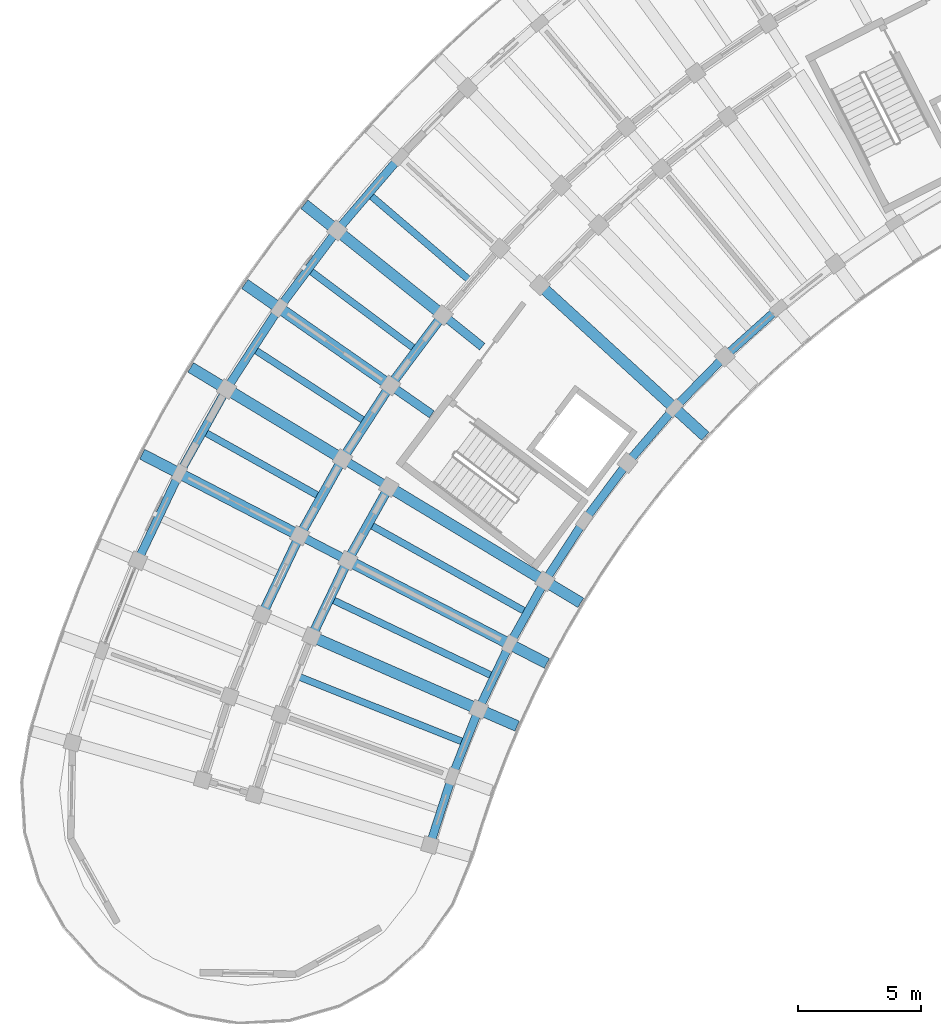
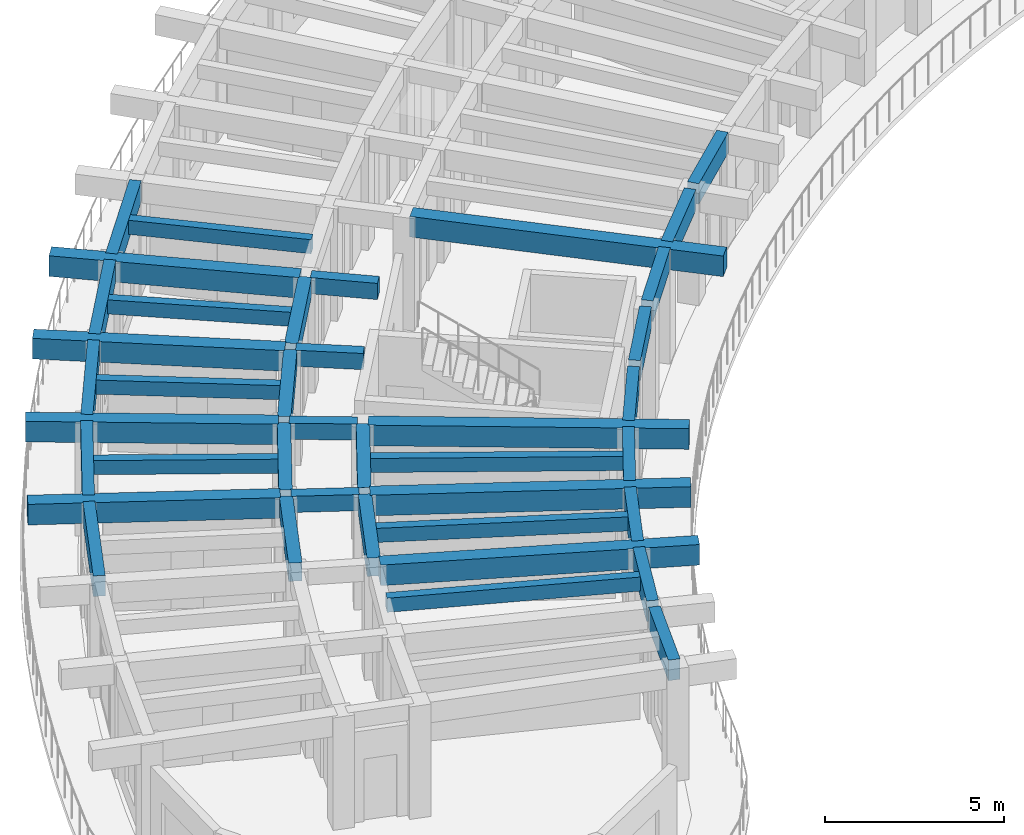
# One storey, part 37 of 128: 39 beams.
"""IFC4 building model written with IfcOpenShell, lengths in metres."""

from ifc_helpers import new_model, si_unit, direction, frame, origin, origin_2d, place, context, subcontext, project, spatial, rectangle, extrude, material, material_profile, profile_set, type_object, element, save


model = new_model("IFC4")

# Units and contexts
model_context = context("Model", 3, precision=1e-05, world=origin(), true_north=direction((0.0, 1.0)))
body_context = subcontext(model_context, "Body", "Model", "MODEL_VIEW")
ifc_project = project(units=[si_unit("LENGTHUNIT", "METRE"), si_unit("AREAUNIT", "SQUARE_METRE"), si_unit("VOLUMEUNIT", "CUBIC_METRE"), si_unit("PLANEANGLEUNIT", "RADIAN"), si_unit("MASSUNIT", "GRAM", prefix="KILO")], contexts=[model_context])

# Site, building, storey
site_placement = place(None, origin())
site = spatial("IfcSite", under=ifc_project, at=site_placement, CompositionType="ELEMENT")
building_placement = place(site_placement, origin())
building = spatial("IfcBuilding", under=site, at=building_placement, Name="Tanwirah Colonnade Gardens", CompositionType="ELEMENT")
storey_placement = place(building_placement, frame((0.0, 0.0, 4.760009765625)))
storey = spatial("IfcBuildingStorey", under=building, at=storey_placement, Name="L01", CompositionType="ELEMENT", Elevation=4.760009765625)

# Beams
ifc_material_1 = material(Name="Precast concrete C40/50", Category="concrete")
ifc_material_profile_1 = material_profile(ifc_material_1, rectangle(XDim=0.35009765625, YDim=0.550048828125, at=origin_2d()), Name="PC-BM 350x550")
ifc_profile_set_1 = profile_set([ifc_material_profile_1], Name="Precast concrete C40/50")
beam_type_1 = type_object("IfcBeamType", Name="BM-PC350A", PredefinedType="BEAM", material=ifc_profile_set_1)
for number, where, z_axis, x_axis, name in (
    (1, (24.398681640625, 92.68896484375, 3.550048828125), (-0.78073089418, 0.624867402633, 0.0), (-0.624867402633, -0.78073089418, 0.0), "Block A L01 Corridor Tie Beam 12"),
    (2, (22.346435546875, 89.943359375, 3.550048828125), (-0.820305001782, 0.571926309983, 0.0), (-0.571926309983, -0.820305001782, 0.0), "Block A L01 Corridor Tie Beam 13"),
    (3, (20.479248046875, 87.068359375, 3.550048828125), (-0.856174920318, 0.516686080534, 0.0), (-0.516686080534, -0.856174920318, 0.0), "Block A L01 Corridor Tie Beam 14"),
    (4, (18.8056640625, 84.07666015625, 3.550048828125), (-0.888358643941, 0.459150214784, 0.0), (-0.459150214784, -0.888358643941, 0.0), "Block A L01 Corridor Tie Beam 15"),
):
    element("IfcBeam", number, at=place(storey_placement, frame(where, z_axis=z_axis, x_axis=x_axis)), inside=storey, type_object=beam_type_1, Name=name, PredefinedType="BEAM", context=body_context, shape_type="SweptSolid", body=[
        extrude(rectangle(XDim=0.35009765625, YDim=0.550048828125, at=origin_2d()), origin(), (0.0, 0.0, 1.0), 1.89990234375),
    ])
ifc_material_profile_2 = material_profile(ifc_material_1, rectangle(XDim=0.3798828125, YDim=0.6201171875, at=origin_2d()), Name="PC-BM 380x620")
ifc_profile_set_2 = profile_set([ifc_material_profile_2], Name="Precast concrete C40/50")
beam_type_2 = type_object("IfcBeamType", Name="BM-PC380", PredefinedType="BEAM", material=ifc_profile_set_2)
for number, where, z_axis, x_axis, name in (
    (5, (22.708251953125, 93.849609375, 3.514892578125), (-0.59871829396, -0.800959677186, 0.0), (0.800959677186, -0.59871829396, 0.0), "Block A L01 Circumferential Beam 12-R2"),
    (6, (20.5830078125, 90.989990234375, 3.514892578125), (-0.544627998385, -0.838677735114, 0.0), (0.838677735114, -0.544627998385, 0.0), "Block A L01 Circumferential Beam 13-R2"),
):
    element("IfcBeam", number, at=place(storey_placement, frame(where, z_axis=z_axis, x_axis=x_axis)), inside=storey, type_object=beam_type_2, Name=name, PredefinedType="BEAM", context=body_context, shape_type="SweptSolid", body=[
        extrude(rectangle(XDim=0.3798828125, YDim=0.6201171875, at=origin_2d()), origin(), (0.0, 0.0, 1.0), 3.262939453125),
    ])
beam_1_placement = place(storey_placement, frame((20.534423828125, 86.85986328125, 3.514892578125), z_axis=(-0.488200372352, -0.872731571811, 0.0), x_axis=(0.872731571811, -0.488200372352, 0.0)))
element("IfcBeam", 7, at=beam_1_placement, inside=storey, type_object=beam_type_2, Name="Block A L01 Circumferential Beam 14-R1", PredefinedType="BEAM", context=body_context, shape_type="SweptSolid", body=[
    extrude(rectangle(XDim=0.3798828125, YDim=0.6201171875, at=origin_2d()), origin(), (0.0, 0.0, 1.0), 3.117919921875),
])
beam_2_placement = place(storey_placement, frame((18.65087890625, 87.99658203125, 3.514892578125), z_axis=(-0.488213717102, -0.87272410671, 0.0), x_axis=(0.87272410671, -0.488213717102, 0.0)))
element("IfcBeam", 8, at=beam_2_placement, inside=storey, type_object=beam_type_2, Name="Block A L01 Circumferential Beam 14-R2", PredefinedType="BEAM", context=body_context, shape_type="SweptSolid", body=[
    extrude(rectangle(XDim=0.3798828125, YDim=0.6201171875, at=origin_2d()), origin(), (0.0, 0.0, 1.0), 3.262939453125),
])
beam_3_placement = place(storey_placement, frame((18.87451171875, 83.872314453125, 3.514892578125), z_axis=(-0.429620507728, -0.903009534468, 0.0), x_axis=(0.903009534468, -0.429620507728, 0.0)))
element("IfcBeam", 9, at=beam_3_placement, inside=storey, type_object=beam_type_2, Name="Block A L01 Circumferential Beam 15-R1", PredefinedType="BEAM", context=body_context, shape_type="SweptSolid", body=[
    extrude(rectangle(XDim=0.3798828125, YDim=0.6201171875, at=origin_2d()), origin(), (0.0, 0.0, 1.0), 3.1181640625),
])
beam_4_placement = place(storey_placement, frame((16.920166015625, 84.882568359375, 3.514892578125), z_axis=(-0.4295908638, -0.90302363742, 0.0), x_axis=(0.90302363742, -0.4295908638, 0.0)))
element("IfcBeam", 10, at=beam_4_placement, inside=storey, type_object=beam_type_2, Name="Block A L01 Circumferential Beam 15-R2", PredefinedType="BEAM", context=body_context, shape_type="SweptSolid", body=[
    extrude(rectangle(XDim=0.3798828125, YDim=0.6201171875, at=origin_2d()), origin(), (0.0, 0.0, 1.0), 3.26318359375),
])
ifc_material_2 = material(Name="Precast concrete C45/55", Category="concrete")
ifc_material_profile_3 = material_profile(ifc_material_2, rectangle(XDim=0.449951171875, YDim=0.699951171875, at=origin_2d()), Name="PC-BM 450x700")
ifc_profile_set_3 = profile_set([ifc_material_profile_3], Name="Precast concrete C45/55")
beam_type_3 = type_object("IfcBeamType", Name="BM-PC450", PredefinedType="BEAM", material=ifc_profile_set_3)
beam_5_placement = place(storey_placement, frame((26.848876953125, 95.091064453125, 3.47509765625), z_axis=(0.737937205818, -0.674869380154, 0.0), x_axis=(0.674869380154, 0.737937205818, 0.0)))
element("IfcBeam", 11, at=beam_5_placement, inside=storey, type_object=beam_type_3, Name="Block A L01 Inner Radial Precast Girder 11", PredefinedType="BEAM", context=body_context, shape_type="SweptSolid", body=[
    extrude(rectangle(XDim=0.449951171875, YDim=0.699951171875, at=origin_2d()), origin(), (0.0, 0.0, 1.0), 8.949951171875),
])
for number, where, z_axis, x_axis, name in (
    (12, (22.680908203125, 94.0634765625, 3.47509765625), (-0.780794476885, 0.624787951921, 0.0), (-0.624787951921, -0.780794476885, 0.0), "Block A L01 Outer Radial Precast Girder 12"),
    (13, (20.541748046875, 91.20166015625, 3.47509765625), (-0.820270158139, 0.571976282433, 0.0), (-0.571976282433, -0.820270158139, 0.0), "Block A L01 Outer Radial Precast Girder 13"),
):
    element("IfcBeam", number, at=place(storey_placement, frame(where, z_axis=z_axis, x_axis=x_axis)), inside=storey, type_object=beam_type_3, Name=name, PredefinedType="BEAM", context=body_context, shape_type="SweptSolid", body=[
        extrude(rectangle(XDim=0.449951171875, YDim=0.699951171875, at=origin_2d()), origin(), (0.0, 0.0, 1.0), 7.050048828125),
    ])
beam_6_placement = place(storey_placement, frame((20.736083984375, 86.913330078125, 3.47509765625), z_axis=(0.856168728297, -0.516696340887, 0.0), x_axis=(0.516696340887, 0.856168728297, 0.0)))
element("IfcBeam", 14, at=beam_6_placement, inside=storey, type_object=beam_type_3, Name="Block A L01 Inner Radial Precast Girder 14", PredefinedType="BEAM", context=body_context, shape_type="SweptSolid", body=[
    extrude(rectangle(XDim=0.449951171875, YDim=0.699951171875, at=origin_2d()), origin(), (0.0, 0.0, 1.0), 8.9501953125),
])
beam_7_placement = place(storey_placement, frame((18.595703125, 88.205078125, 3.47509765625), z_axis=(-0.856157813984, 0.516714425533, 0.0), x_axis=(-0.516714425533, -0.856157813984, 0.0)))
element("IfcBeam", 15, at=beam_7_placement, inside=storey, type_object=beam_type_3, Name="Block A L01 Outer Radial Precast Girder 14", PredefinedType="BEAM", context=body_context, shape_type="SweptSolid", body=[
    extrude(rectangle(XDim=0.449951171875, YDim=0.699951171875, at=origin_2d()), origin(), (0.0, 0.0, 1.0), 7.050048828125),
])
beam_8_placement = place(storey_placement, frame((19.072265625, 83.93896484375, 3.47509765625), z_axis=(0.888345427876, -0.459175784175, 0.0), x_axis=(0.459175784175, 0.888345427876, 0.0)))
element("IfcBeam", 16, at=beam_8_placement, inside=storey, type_object=beam_type_3, Name="Block A L01 Inner Radial Precast Girder 15", PredefinedType="BEAM", context=body_context, shape_type="SweptSolid", body=[
    extrude(rectangle(XDim=0.449951171875, YDim=0.699951171875, at=origin_2d()), origin(), (0.0, 0.0, 1.0), 8.949951171875),
])
beam_9_placement = place(storey_placement, frame((16.851318359375, 85.0869140625, 3.47509765625), z_axis=(-0.888348690665, 0.459169471758, 0.0), x_axis=(-0.459169471758, -0.888348690665, 0.0)))
element("IfcBeam", 17, at=beam_9_placement, inside=storey, type_object=beam_type_3, Name="Block A L01 Outer Radial Precast Girder 15", PredefinedType="BEAM", context=body_context, shape_type="SweptSolid", body=[
    extrude(rectangle(XDim=0.449951171875, YDim=0.699951171875, at=origin_2d()), origin(), (0.0, 0.0, 1.0), 7.0498046875),
])
beam_10_placement = place(storey_placement, frame((17.60791015625, 80.861328125, 3.47509765625), z_axis=(0.916669317869, -0.399646545934, 0.0), x_axis=(0.399646545934, 0.916669317869, 0.0)))
element("IfcBeam", 18, at=beam_10_placement, inside=storey, type_object=beam_type_3, Name="Block A L01 Inner Radial Precast Girder 16", PredefinedType="BEAM", context=body_context, shape_type="SweptSolid", body=[
    extrude(rectangle(XDim=0.449951171875, YDim=0.699951171875, at=origin_2d()), origin(), (0.0, 0.0, 1.0), 8.9501953125),
])
ifc_material_profile_4 = material_profile(ifc_material_1, rectangle(XDim=0.280029296875, YDim=0.47998046875, at=origin_2d()), Name="PC-JST 280x480")
ifc_profile_set_4 = profile_set([ifc_material_profile_4], Name="Precast concrete C40/50")
beam_type_4 = type_object("IfcBeamType", Name="JST-PC280", PredefinedType="JOIST", material=ifc_profile_set_4)
beam_11_placement = place(storey_placement, frame((23.843017578125, 95.42041015625, 3.5849609375), z_axis=(-0.759770723643, 0.65019108537, 0.0), x_axis=(-0.65019108537, -0.759770723643, 0.0)))
element("IfcBeam", 19, at=beam_11_placement, inside=storey, type_object=beam_type_4, Name="Block A L01 Precast Floor Joist 11", PredefinedType="JOIST", context=body_context, shape_type="SweptSolid", body=[
    extrude(rectangle(XDim=0.280029296875, YDim=0.47998046875, at=origin_2d()), origin(), (0.0, 0.0, 1.0), 5.26025390625),
])
beam_12_placement = place(storey_placement, frame((21.61181640625, 92.63232421875, 3.5849609375), z_axis=(-0.800973647215, 0.598699604533, 0.0), x_axis=(-0.598699604533, -0.800973647215, 0.0)))
element("IfcBeam", 20, at=beam_12_placement, inside=storey, type_object=beam_type_4, Name="Block A L01 Precast Floor Joist 12", PredefinedType="JOIST", context=body_context, shape_type="SweptSolid", body=[
    extrude(rectangle(XDim=0.280029296875, YDim=0.47998046875, at=origin_2d()), origin(), (0.0, 0.0, 1.0), 5.260009765625),
])
beam_13_placement = place(storey_placement, frame((19.5693359375, 89.703125, 3.5849609375), z_axis=(-0.83868742622, 0.544613074669, 0.0), x_axis=(-0.544613074669, -0.83868742622, 0.0)))
element("IfcBeam", 21, at=beam_13_placement, inside=storey, type_object=beam_type_4, Name="Block A L01 Precast Floor Joist 13", PredefinedType="JOIST", context=body_context, shape_type="SweptSolid", body=[
    extrude(rectangle(XDim=0.280029296875, YDim=0.47998046875, at=origin_2d()), origin(), (0.0, 0.0, 1.0), 5.26025390625),
])
beam_14_placement = place(storey_placement, frame((17.72412109375, 86.645751953125, 3.5849609375), z_axis=(-0.872737031138, 0.488190612855, 0.0), x_axis=(-0.488190612855, -0.872737031138, 0.0)))
element("IfcBeam", 22, at=beam_14_placement, inside=storey, type_object=beam_type_4, Name="Block A L01 Precast Floor Joist 14", PredefinedType="JOIST", context=body_context, shape_type="SweptSolid", body=[
    extrude(rectangle(XDim=0.280029296875, YDim=0.47998046875, at=origin_2d()), origin(), (0.0, 0.0, 1.0), 5.260009765625),
])
for number, where, z_axis, x_axis, name in (
    (23, (26.102294921875, 81.958984375, 3.5849609375), (-0.872726875563, 0.488208767506, 0.0), (-0.488208767506, -0.872726875563, 0.0), "Block A L01 Inner Precast Floor Joist 14"),
    (24, (24.753173828125, 79.348876953125, 3.5849609375), (-0.903005429363, 0.429629136048, 0.0), (-0.429629136048, -0.903005429363, 0.0), "Block A L01 Inner Precast Floor Joist 15"),
):
    element("IfcBeam", number, at=place(storey_placement, frame(where, z_axis=z_axis, x_axis=x_axis)), inside=storey, type_object=beam_type_4, Name=name, PredefinedType="JOIST", context=body_context, shape_type="SweptSolid", body=[
        extrude(rectangle(XDim=0.280029296875, YDim=0.47998046875, at=origin_2d()), origin(), (0.0, 0.0, 1.0), 7.16015625),
    ])
beam_15_placement = place(storey_placement, frame((23.578857421875, 76.655517578125, 3.5849609375), z_axis=(-0.929344232768, 0.369214432303, 0.0), x_axis=(-0.369214432303, -0.929344232768, 0.0)))
element("IfcBeam", 25, at=beam_15_placement, inside=storey, type_object=beam_type_4, Name="Block A L01 Inner Precast Floor Joist 16", PredefinedType="JOIST", context=body_context, shape_type="SweptSolid", body=[
    extrude(rectangle(XDim=0.280029296875, YDim=0.47998046875, at=origin_2d()), origin(), (0.0, 0.0, 1.0), 7.159912109375),
])
ifc_material_profile_5 = material_profile(ifc_material_2, rectangle(XDim=0.340087890625, YDim=0.699951171875, at=origin_2d()), Name="PC-SP 340x700")
ifc_profile_set_5 = profile_set([ifc_material_profile_5], Name="Precast concrete C45/55")
beam_type_5 = type_object("IfcBeamType", Name="SP-PC340", PredefinedType="SPANDREL", material=ifc_profile_set_5)
beam_16_placement = place(storey_placement, frame((36.31640625, 94.150634765625, 3.47509765625), z_axis=(-0.744400790288, -0.667733077972, 0.0), x_axis=(0.667733077972, -0.744400790288, 0.0)))
element("IfcBeam", 26, at=beam_16_placement, inside=storey, type_object=beam_type_5, Name="Block A L01 Circumferential Beam 9-R0", PredefinedType="SPANDREL", context=body_context, shape_type="SweptSolid", body=[
    extrude(rectangle(XDim=0.340087890625, YDim=0.699951171875, at=origin_2d()), origin(), (0.0, 0.0, 1.0), 2.63037109375),
])
beam_17_placement = place(storey_placement, frame((34.141845703125, 92.186767578125, 3.47509765625), z_axis=(-0.698844462704, -0.715273665772, 0.0), x_axis=(0.715273665772, -0.698844462704, 0.0)))
element("IfcBeam", 27, at=beam_17_placement, inside=storey, type_object=beam_type_5, Name="Block A L01 Circumferential Beam 10-R0", PredefinedType="SPANDREL", context=body_context, shape_type="SweptSolid", body=[
    extrude(rectangle(XDim=0.340087890625, YDim=0.699951171875, at=origin_2d()), origin(), (0.0, 0.0, 1.0), 2.630126953125),
])
beam_18_placement = place(storey_placement, frame((32.101318359375, 90.084228515625, 3.47509765625), z_axis=(-0.650172023628, -0.759787035749, 0.0), x_axis=(0.759787035749, -0.650172023628, 0.0)))
element("IfcBeam", 28, at=beam_18_placement, inside=storey, type_object=beam_type_5, Name="Block A L01 Circumferential Beam 11-R0", PredefinedType="SPANDREL", context=body_context, shape_type="SweptSolid", body=[
    extrude(rectangle(XDim=0.340087890625, YDim=0.699951171875, at=origin_2d()), origin(), (0.0, 0.0, 1.0), 2.63037109375),
])
beam_19_placement = place(storey_placement, frame((20.95849609375, 100.27490234375, 3.47509765625), z_axis=(-0.65013123267, -0.75982193987, 0.0), x_axis=(0.75982193987, -0.65013123267, 0.0)))
element("IfcBeam", 29, at=beam_19_placement, inside=storey, type_object=beam_type_5, Name="Block A L01 Circumferential Beam 11-R3", PredefinedType="SPANDREL", context=body_context, shape_type="SweptSolid", body=[
    extrude(rectangle(XDim=0.340087890625, YDim=0.699951171875, at=origin_2d()), origin(), (0.0, 0.0, 1.0), 3.625732421875),
])
beam_20_placement = place(storey_placement, frame((30.203857421875, 87.851806640625, 3.47509765625), z_axis=(-0.598662613551, -0.80100129534, 0.0), x_axis=(0.80100129534, -0.598662613551, 0.0)))
element("IfcBeam", 30, at=beam_20_placement, inside=storey, type_object=beam_type_5, Name="Block A L01 Circumferential Beam 12-R0", PredefinedType="SPANDREL", context=body_context, shape_type="SweptSolid", body=[
    extrude(rectangle(XDim=0.340087890625, YDim=0.699951171875, at=origin_2d()), origin(), (0.0, 0.0, 1.0), 2.63037109375),
])
beam_21_placement = place(storey_placement, frame((18.413818359375, 97.285888671875, 3.47509765625), z_axis=(-0.598695554058, -0.800976674786, 0.0), x_axis=(0.800976674786, -0.598695554058, 0.0)))
element("IfcBeam", 31, at=beam_21_placement, inside=storey, type_object=beam_type_5, Name="Block A L01 Circumferential Beam 12-R3", PredefinedType="SPANDREL", context=body_context, shape_type="SweptSolid", body=[
    extrude(rectangle(XDim=0.340087890625, YDim=0.699951171875, at=origin_2d()), origin(), (0.0, 0.0, 1.0), 3.625732421875),
])
beam_22_placement = place(storey_placement, frame((28.45751953125, 85.4990234375, 3.47509765625), z_axis=(-0.544570677829, -0.838714955661, 0.0), x_axis=(0.838714955661, -0.544570677829, 0.0)))
element("IfcBeam", 32, at=beam_22_placement, inside=storey, type_object=beam_type_5, Name="Block A L01 Circumferential Beam 13-R0", PredefinedType="SPANDREL", context=body_context, shape_type="SweptSolid", body=[
    extrude(rectangle(XDim=0.340087890625, YDim=0.699951171875, at=origin_2d()), origin(), (0.0, 0.0, 1.0), 2.63037109375),
])
beam_23_placement = place(storey_placement, frame((16.071533203125, 94.135986328125, 3.47509765625), z_axis=(-0.544621436184, -0.838681996497, 0.0), x_axis=(0.838681996497, -0.544621436184, 0.0)))
element("IfcBeam", 33, at=beam_23_placement, inside=storey, type_object=beam_type_5, Name="Block A L01 Circumferential Beam 13-R3", PredefinedType="SPANDREL", context=body_context, shape_type="SweptSolid", body=[
    extrude(rectangle(XDim=0.340087890625, YDim=0.699951171875, at=origin_2d()), origin(), (0.0, 0.0, 1.0), 3.625732421875),
])
beam_24_placement = place(storey_placement, frame((26.8701171875, 83.036376953125, 3.47509765625), z_axis=(-0.488170837957, -0.872748092503, 0.0), x_axis=(0.872748092503, -0.488170837957, 0.0)))
element("IfcBeam", 34, at=beam_24_placement, inside=storey, type_object=beam_type_5, Name="Block A L01 Circumferential Beam 14-R0", PredefinedType="SPANDREL", context=body_context, shape_type="SweptSolid", body=[
    extrude(rectangle(XDim=0.340087890625, YDim=0.699951171875, at=origin_2d()), origin(), (0.0, 0.0, 1.0), 2.630126953125),
])
beam_25_placement = place(storey_placement, frame((13.942138671875, 90.838623046875, 3.47509765625), z_axis=(-0.488236312193, -0.872711466326, 0.0), x_axis=(0.872711466326, -0.488236312193, 0.0)))
element("IfcBeam", 35, at=beam_25_placement, inside=storey, type_object=beam_type_5, Name="Block A L01 Circumferential Beam 14-R3", PredefinedType="SPANDREL", context=body_context, shape_type="SweptSolid", body=[
    extrude(rectangle(XDim=0.340087890625, YDim=0.699951171875, at=origin_2d()), origin(), (0.0, 0.0, 1.0), 3.625732421875),
])
beam_26_placement = place(storey_placement, frame((25.448486328125, 80.474609375, 3.47509765625), z_axis=(-0.42964173036, -0.902999437172, 0.0), x_axis=(0.902999437172, -0.42964173036, 0.0)))
element("IfcBeam", 36, at=beam_26_placement, inside=storey, type_object=beam_type_5, Name="Block A L01 Circumferential Beam 15-R0", PredefinedType="SPANDREL", context=body_context, shape_type="SweptSolid", body=[
    extrude(rectangle(XDim=0.340087890625, YDim=0.699951171875, at=origin_2d()), origin(), (0.0, 0.0, 1.0), 2.63037109375),
])
beam_27_placement = place(storey_placement, frame((12.0341796875, 87.407958984375, 3.47509765625), z_axis=(-0.429593766142, -0.903022256698, 0.0), x_axis=(0.903022256698, -0.429593766142, 0.0)))
element("IfcBeam", 37, at=beam_27_placement, inside=storey, type_object=beam_type_5, Name="Block A L01 Circumferential Beam 15-R3", PredefinedType="SPANDREL", context=body_context, shape_type="SweptSolid", body=[
    extrude(rectangle(XDim=0.340087890625, YDim=0.699951171875, at=origin_2d()), origin(), (0.0, 0.0, 1.0), 3.625732421875),
])
beam_28_placement = place(storey_placement, frame((24.198486328125, 77.824462890625, 3.47509765625), z_axis=(-0.369245181709, -0.929332015904, 0.0), x_axis=(0.929332015904, -0.369245181709, 0.0)))
element("IfcBeam", 38, at=beam_28_placement, inside=storey, type_object=beam_type_5, Name="Block A L01 Circumferential Beam 16-R0", PredefinedType="SPANDREL", context=body_context, shape_type="SweptSolid", body=[
    extrude(rectangle(XDim=0.340087890625, YDim=0.699951171875, at=origin_2d()), origin(), (0.0, 0.0, 1.0), 2.630126953125),
])
beam_29_placement = place(storey_placement, frame((23.1259765625, 75.097900390625, 3.47509765625), z_axis=(-0.307219720817, -0.951638609526, 0.0), x_axis=(0.951638609526, -0.307219720817, 0.0)))
element("IfcBeam", 39, at=beam_29_placement, inside=storey, type_object=beam_type_5, Name="Block A L01 Circumferential Beam 17-R0", PredefinedType="SPANDREL", context=body_context, shape_type="SweptSolid", body=[
    extrude(rectangle(XDim=0.340087890625, YDim=0.699951171875, at=origin_2d()), origin(), (0.0, 0.0, 1.0), 2.63037109375),
])

save(model, "model.ifc")
